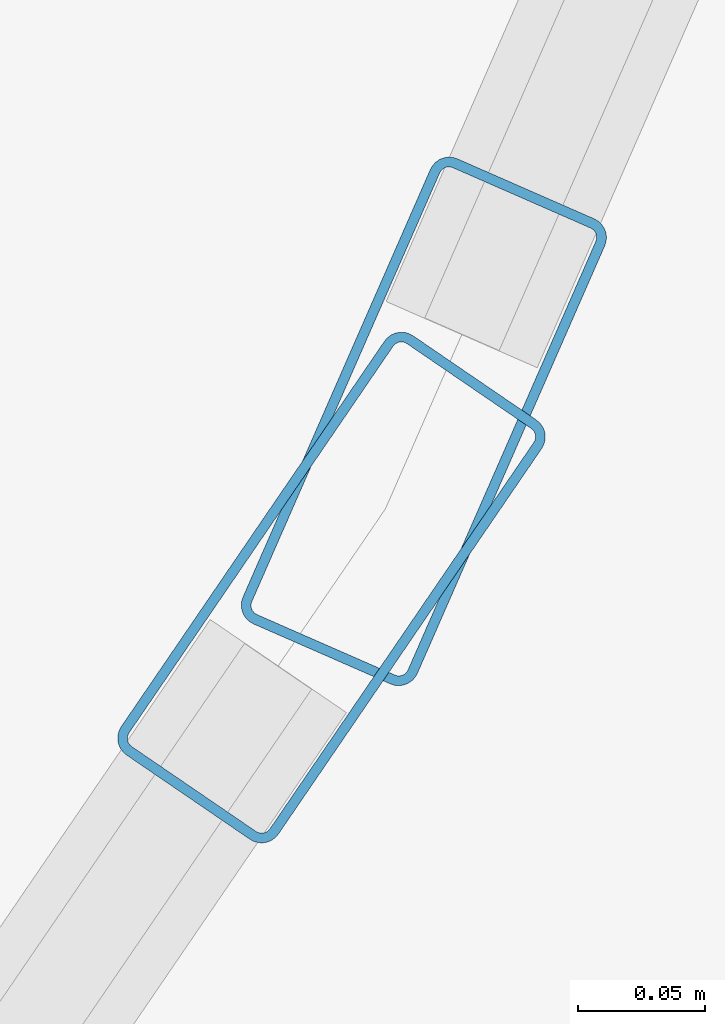
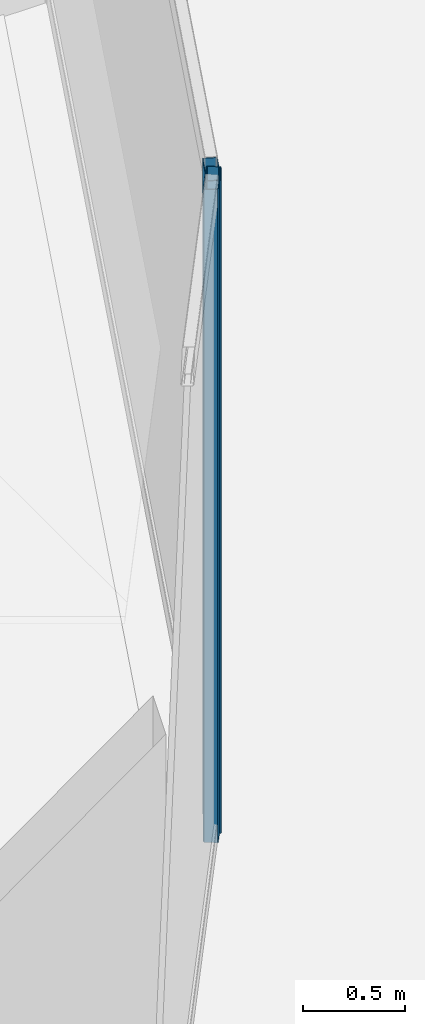
# One storey, part 10 of 44: 2 members, 2 elements without a shape of their own.
"""IFC4 building model written with IfcOpenShell, lengths in metres."""

import ifcopenshell
import ifcopenshell.guid

model = None  # the IFC model being written
_history = None  # IfcOwnerHistory: only IFC2X3 demands one
_inside = {}  # id of a spatial element -> (the spatial element, [elements in it])
_under = {}  # id of a project, library or spatial element -> (it, [spatial elements below it])
_declared = {}  # id of a project -> (the project, [libraries it declares])
_typed = {}  # id of a type object -> (the type object, [elements of that type])
_made_of = {}  # id of a material, layer set ... -> (it, [elements and type objects made of it])


def new_model(schema):
    """Start an empty IFC model of exactly this schema.

    Asked for "IFC4X3", IfcOpenShell would pick the latest addendum, in which some entities
    have other attributes; the version numbers below select the first issue.
    IFC2X3 requires an IfcOwnerHistory on every rooted entity: one is made here for all.
    """
    global model, _history
    if schema == "IFC4X3":
        model = ifcopenshell.file(schema_version=(4, 3, 0, 0))
    else:
        model = ifcopenshell.file(schema=schema)
    _inside.clear()
    _under.clear()
    _declared.clear()
    _typed.clear()
    _made_of.clear()
    _history = None
    if model.schema == "IFC2X3":
        org = make("IfcOrganization", Name="unknown")
        user = make(
            "IfcPersonAndOrganization",
            ThePerson=make("IfcPerson", FamilyName="unknown"),
            TheOrganization=org,
        )
        app = make(
            "IfcApplication",
            ApplicationDeveloper=org,
            Version="unknown",
            ApplicationFullName="unknown",
            ApplicationIdentifier="unknown",
        )
        _history = make(
            "IfcOwnerHistory",
            OwningUser=user,
            OwningApplication=app,
            ChangeAction="ADDED",
            CreationDate=0,
        )
    return model


def make(cls, **values):
    """One entity of the class cls with the attributes given. An attribute that is None is left unset."""
    return model.create_entity(
        cls, **{name: value for name, value in values.items() if value is not None}
    )


def rooted(cls, **values):
    """An entity with a GlobalId (a new one), such as an element, a storey or a relation."""
    return make(cls, GlobalId=ifcopenshell.guid.new(), OwnerHistory=_history, **values)


def si_unit(unit_type, name, prefix=None):
    """IfcSIUnit, for example si_unit("LENGTHUNIT", "METRE", prefix="MILLI")."""
    return make("IfcSIUnit", UnitType=unit_type, Prefix=prefix, Name=name)


def assignment(units):
    """IfcUnitAssignment: the units of a project."""
    return None if units is None else make("IfcUnitAssignment", Units=units)


def point(xyz):
    """IfcCartesianPoint."""
    return None if xyz is None else make("IfcCartesianPoint", Coordinates=xyz)


def direction(xyz):
    """IfcDirection."""
    return None if xyz is None else make("IfcDirection", DirectionRatios=xyz)


def frame(location, z_axis=None, x_axis=None):
    """IfcAxis2Placement3D, a coordinate frame: its origin and axes. An axis left out is left unset."""
    return make(
        "IfcAxis2Placement3D",
        Location=point(location),
        Axis=direction(z_axis),
        RefDirection=direction(x_axis),
    )


def frame_2d(location, x_axis=None):
    """IfcAxis2Placement2D, a coordinate frame in the plane: its origin and x axis."""
    return make(
        "IfcAxis2Placement2D", Location=point(location), RefDirection=direction(x_axis)
    )


def origin():
    """The frame at (0, 0, 0) with its axes left unset."""
    return frame((0.0, 0.0, 0.0))


def origin_2d():
    """The frame at (0, 0) in the plane with its x axis left unset."""
    return frame_2d((0.0, 0.0))


def place(relative_to, where):
    """IfcLocalPlacement: puts the frame where relative to a parent placement (None: the world)."""
    return make(
        "IfcLocalPlacement", PlacementRelTo=relative_to, RelativePlacement=where
    )


def context(
    kind, dimensions, precision=None, world=None, true_north=None, identifier=None
):
    """IfcGeometricRepresentationContext, for example the 3D "Model" context."""
    return make(
        "IfcGeometricRepresentationContext",
        ContextIdentifier=identifier,
        ContextType=kind,
        CoordinateSpaceDimension=dimensions,
        Precision=precision,
        WorldCoordinateSystem=world,
        TrueNorth=true_north,
    )


def subcontext(parent, identifier, kind, view, scale=None):
    """IfcGeometricRepresentationSubContext, for example "Body" below "Model"."""
    return make(
        "IfcGeometricRepresentationSubContext",
        ContextIdentifier=identifier,
        ContextType=kind,
        ParentContext=parent,
        TargetScale=scale,
        TargetView=view,
    )


def project(units=None, contexts=None):
    """IfcProject with its units and contexts."""
    return rooted(
        "IfcProject",
        Name="project",
        RepresentationContexts=contexts,
        UnitsInContext=assignment(units),
    )


def spatial(cls, under=None, at=None, **own):
    """A site, building, storey or space (cls), placed at a placement, below another one or the project."""
    s = rooted(cls, ObjectPlacement=at, **own)
    if under is not None:
        _under.setdefault(under.id(), (under, []))[1].append(s)
    return s


def profile(cls, at=None, kind="AREA", **sizes):
    """A parametric profile (cls). Its sizes go by their IFC names, for example OverallWidth=200.0."""
    return make(cls, ProfileType=kind, Position=at, **sizes)


def hollow_rectangle(**sizes):
    """IfcRectangleHollowProfileDef."""
    return profile("IfcRectangleHollowProfileDef", **sizes)


def extrude(swept, where, along, depth):
    """IfcExtrudedAreaSolid: the profile swept, set in the frame where, extruded along a direction by depth."""
    return make(
        "IfcExtrudedAreaSolid",
        SweptArea=swept,
        Position=where,
        ExtrudedDirection=direction(along),
        Depth=depth,
    )


def shape(context_of_items, identifier, shape_type, items):
    """IfcShapeRepresentation: the items that make up one representation, for example the "Body"."""
    return make(
        "IfcShapeRepresentation",
        ContextOfItems=context_of_items,
        RepresentationIdentifier=identifier,
        RepresentationType=shape_type,
        Items=items,
    )


def material(Name=None, Category=None):
    """IfcMaterial."""
    return make("IfcMaterial", Name=Name, Category=Category)


def layer(
    of_material, thickness, ventilated=None, Name=None, Category=None, Priority=None
):
    """IfcMaterialLayer: one layer of a wall or slab, of a material (None: an air gap)."""
    return make(
        "IfcMaterialLayer",
        Material=of_material,
        LayerThickness=thickness,
        IsVentilated=ventilated,
        Name=Name,
        Category=Category,
        Priority=Priority,
    )


def layer_set(layers, Name=None):
    """IfcMaterialLayerSet."""
    return make("IfcMaterialLayerSet", MaterialLayers=layers, LayerSetName=Name)


def material_profile(
    of_material, cross_section, Name=None, Category=None, Priority=None
):
    """IfcMaterialProfile: a cross section and its material."""
    return make(
        "IfcMaterialProfile",
        Name=Name,
        Material=of_material,
        Profile=cross_section,
        Priority=Priority,
        Category=Category,
    )


def profile_set(profiles, Name=None, composite=None):
    """IfcMaterialProfileSet."""
    return make(
        "IfcMaterialProfileSet",
        Name=Name,
        MaterialProfiles=profiles,
        CompositeProfile=composite,
    )


def made_of(thing, what):
    """Note that an element or type object is made of a material, layer set ...; save() writes the relation."""
    if what is not None:
        _made_of.setdefault(what.id(), (what, []))[1].append(thing)
    return thing


def type_object(cls, material=None, **own):
    """A type object (cls), such as IfcWallType, which elements share."""
    return made_of(rooted(cls, **own), material)


def element(
    cls,
    number,
    at=None,
    inside=None,
    cuts=None,
    type_object=None,
    material=None,
    context=None,
    identifier="Body",
    shape_type=None,
    held_by="IfcProductDefinitionShape",
    body=None,
    shapes=None,
    **own,
):
    """One element of the class cls, such as IfcWall. Its Tag is "e" and its number.

    at: its placement. inside: the storey or other place that contains it. cuts: it is an
    opening in that element (IfcRelVoidsElement). A single representation is given by context,
    identifier, shape_type and body (its items); several are given by shapes. held_by: the class
    of the entity that holds the representations. save() writes the other relations.
    """
    e = rooted(cls, Tag="e%d" % number, ObjectPlacement=at, **own)
    if body is not None:
        shapes = [shape(context, identifier, shape_type, body)]
    if shapes is not None:
        e.Representation = make(held_by, Representations=shapes)
    if inside is not None:
        _inside.setdefault(inside.id(), (inside, []))[1].append(e)
    if cuts is not None:
        rooted(
            "IfcRelVoidsElement", RelatingBuildingElement=cuts, RelatedOpeningElement=e
        )
    if type_object is not None:
        _typed.setdefault(type_object.id(), (type_object, []))[1].append(e)
    return made_of(e, material)


def aggregate(whole, parts):
    """IfcRelAggregates: a whole, such as a stair, and the parts it consists of."""
    return rooted("IfcRelAggregates", RelatingObject=whole, RelatedObjects=parts)


def save(model, path):
    """Write the relations noted so far, then the file.

    IfcRelAggregates (storeys below a building ...), IfcRelContainedInSpatialStructure (elements
    in a storey), IfcRelDefinesByType, IfcRelAssociatesMaterial and IfcRelDeclares: one each for
    every whole, place, type object, material and project.
    """
    for whole, parts in _under.values():
        aggregate(whole, parts)
    for where, things in _inside.values():
        rooted(
            "IfcRelContainedInSpatialStructure",
            RelatedElements=things,
            RelatingStructure=where,
        )
    for kind, things in _typed.values():
        rooted("IfcRelDefinesByType", RelatedObjects=things, RelatingType=kind)
    for what, things in _made_of.values():
        rooted("IfcRelAssociatesMaterial", RelatedObjects=things, RelatingMaterial=what)
    for by, libraries in _declared.values():
        rooted("IfcRelDeclares", RelatingContext=by, RelatedDefinitions=libraries)
    model.write(path)


model = new_model("IFC4")

# Units and contexts
model_context = context("Model", 3, precision=1e-05, world=origin(), true_north=direction((0.0, 1.0)))
body_context = subcontext(model_context, "Body", "Model", "MODEL_VIEW")
ifc_project = project(units=[si_unit("LENGTHUNIT", "METRE"), si_unit("AREAUNIT", "SQUARE_METRE"), si_unit("VOLUMEUNIT", "CUBIC_METRE"), si_unit("PLANEANGLEUNIT", "RADIAN"), si_unit("MASSUNIT", "GRAM", prefix="KILO")], contexts=[model_context])

# Site, building, storey
site_placement = place(None, origin())
site = spatial("IfcSite", under=ifc_project, at=site_placement, CompositionType="ELEMENT")
building_placement = place(site_placement, origin())
building = spatial("IfcBuilding", under=site, at=building_placement, Name="Qorvath Tower", CompositionType="ELEMENT")
storey_placement = place(building_placement, frame((0.0, 0.0, 78.60009765625)))
storey = spatial("IfcBuildingStorey", under=building, at=storey_placement, Name="L17", CompositionType="ELEMENT", Elevation=78.60009765625)

# Curtain wall, member
ifc_material_1 = material(Name="Anodised aluminium and triple low-E glass", Category="aluminium")
ifc_layer = layer(ifc_material_1, 0.179931640625)
ifc_layer_set = layer_set([ifc_layer], Name="CW-SYS-5")
curtain_wall_type = type_object("IfcCurtainWallType", Name="CW-SYS-5", PredefinedType="NOTDEFINED", material=ifc_layer_set)
curtain_wall_1_placement = place(storey_placement, origin())
curtain_wall_1 = element("IfcCurtainWall", 1, at=curtain_wall_1_placement, inside=storey, type_object=curtain_wall_type, Name="Curtain Wall CW-5 CW-T-L17-9.1", PredefinedType="NOTDEFINED")
ifc_material_2 = material(Name="Anodised aluminium 6063-T6", Category="aluminium")
ifc_material_profile = material_profile(ifc_material_2, hollow_rectangle(XDim=0.074951171875, YDim=0.199951171875, WallThickness=0.00390625, InnerFilletRadius=0.00390625, OuterFilletRadius=0.008056640625, at=origin_2d()), Name="CWM 200x75")
ifc_profile_set = profile_set([ifc_material_profile], Name="Anodised aluminium 6063-T6")
member_type = type_object("IfcMemberType", Name="CWM-200", PredefinedType="MULLION", material=ifc_profile_set)
member_1_placement = place(storey_placement, frame((1.6015625, -18.885986328125, 0.0), z_axis=(0.0, 0.0, 1.0), x_axis=(-0.825776009163, 0.563998211602, 0.0)))
member_1 = element("IfcMember", 2, at=member_1_placement, type_object=member_type, Name="CW-5 mullion 2", PredefinedType="MULLION", context=body_context, shape_type="SweptSolid", body=[
    extrude(hollow_rectangle(XDim=0.074951171875, YDim=0.199951171875, WallThickness=0.00390625, InnerFilletRadius=0.00390625, OuterFilletRadius=0.008056640625, at=origin_2d()), origin(), (0.0, 0.0, 1.0), 3.919921875),
])
aggregate(curtain_wall_1, [member_1])

curtain_wall_2_placement = place(storey_placement, origin())
curtain_wall_2 = element("IfcCurtainWall", 3, at=curtain_wall_2_placement, inside=storey, type_object=curtain_wall_type, Name="Curtain Wall CW-5 CW-T-L17-10.1", PredefinedType="NOTDEFINED")
member_2_placement = place(storey_placement, frame((1.637939453125, -18.820556640625, 0.0), z_axis=(0.0, 0.0, 1.0), x_axis=(-0.915913444211, 0.401375837231, 0.0)))
member_2 = element("IfcMember", 4, at=member_2_placement, type_object=member_type, Name="CW-5 mullion 1", PredefinedType="MULLION", context=body_context, shape_type="SweptSolid", body=[
    extrude(hollow_rectangle(XDim=0.074951171875, YDim=0.199951171875, WallThickness=0.00390625, InnerFilletRadius=0.00390625, OuterFilletRadius=0.008056640625, at=origin_2d()), origin(), (0.0, 0.0, 1.0), 3.919921875),
])
aggregate(curtain_wall_2, [member_2])

save(model, "model.ifc")
